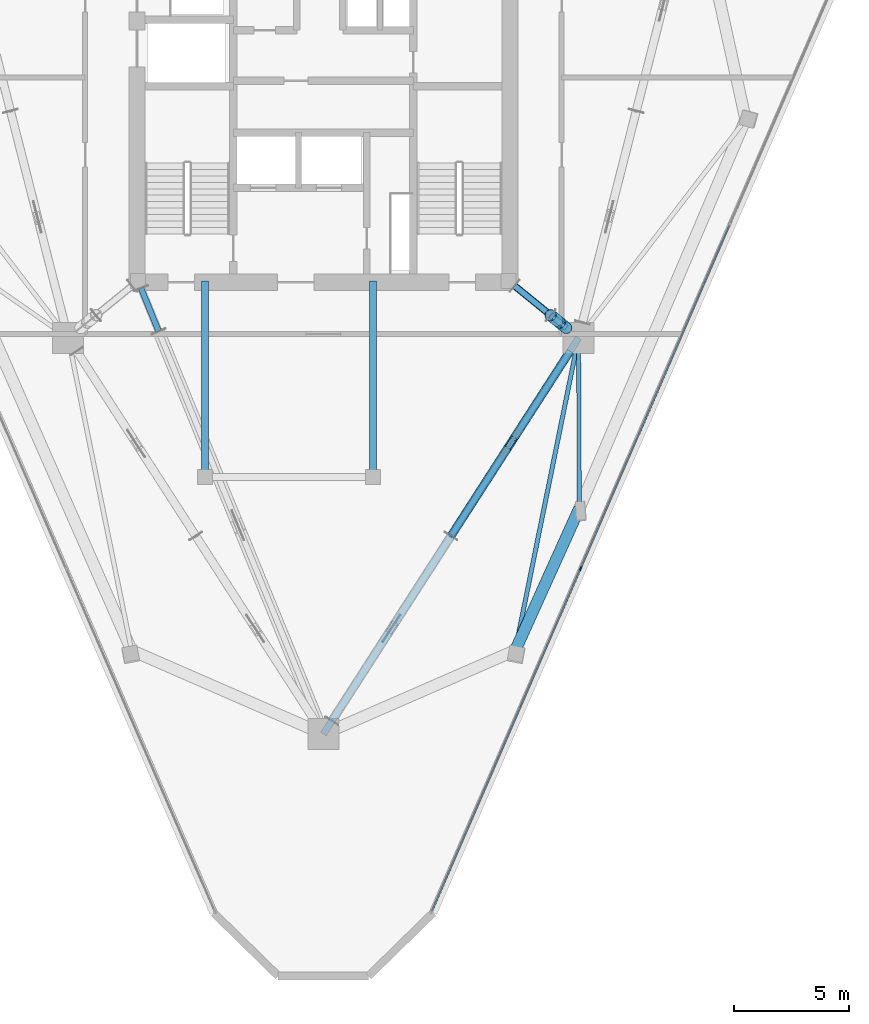
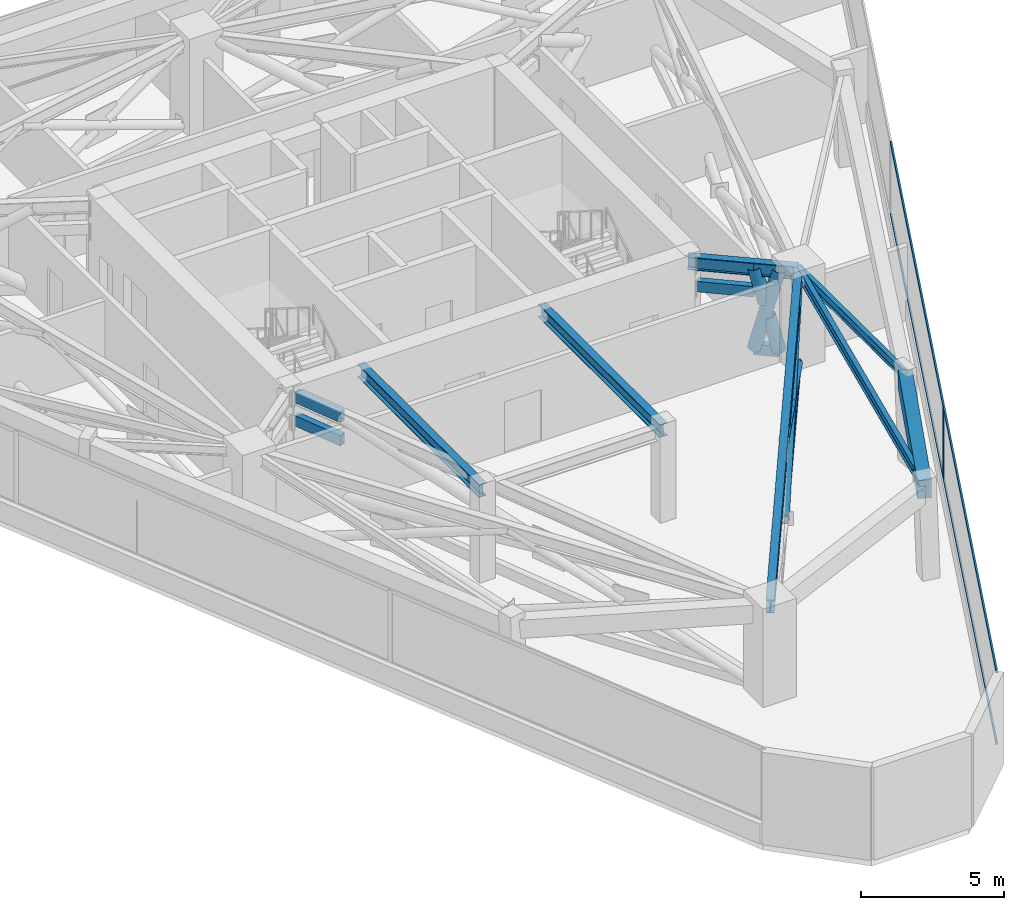
# One storey, part 3 of 12: 19 members, 7 beams, 1 element without a shape of its own.
"""IFC4 building model written with IfcOpenShell, lengths in metres."""

from ifc_helpers import new_model, si_unit, direction, frame, origin, origin_2d, place, context, subcontext, project, spatial, rectangle, hollow_rectangle, hollow_circle, i_section, extrude, material, layer, layer_set, material_profile, profile_set, type_object, element, aggregate, save


model = new_model("IFC4")

# Units and contexts
model_context = context("Model", 3, precision=1e-05, world=origin(), true_north=direction((0.0, 1.0)))
body_context = subcontext(model_context, "Body", "Model", "MODEL_VIEW")
ifc_project = project(units=[si_unit("LENGTHUNIT", "METRE"), si_unit("AREAUNIT", "SQUARE_METRE"), si_unit("VOLUMEUNIT", "CUBIC_METRE"), si_unit("PLANEANGLEUNIT", "RADIAN"), si_unit("MASSUNIT", "GRAM", prefix="KILO")], contexts=[model_context])

# Site, building, storey
site_placement = place(None, origin())
site = spatial("IfcSite", under=ifc_project, at=site_placement, CompositionType="ELEMENT")
building_placement = place(site_placement, origin())
building = spatial("IfcBuilding", under=site, at=building_placement, Name="Talyreon Biosciences Tower", CompositionType="ELEMENT")
storey_placement = place(building_placement, frame((0.0, 0.0, 227.39990234375)))
storey = spatial("IfcBuildingStorey", under=building, at=storey_placement, Name="L60", CompositionType="ELEMENT", Elevation=227.39990234375)

# Members
ifc_material_1 = material(Name="Steel SM355", Category="steel")
ifc_material_profile_1 = material_profile(ifc_material_1, hollow_circle(Radius=0.177734375, WallThickness=0.01416015625, at=origin_2d()), Name="CHS 355.6x14.2")
ifc_profile_set_1 = profile_set([ifc_material_profile_1], Name="Steel SM355")
member_type_1 = type_object("IfcMemberType", Name="BeltBrace_CHS355", PredefinedType="BRACE", material=ifc_profile_set_1)
member_1_placement = place(storey_placement, frame((71.543212890625, 50.273681640625, 0.239990234375), z_axis=(0.509088127268, 0.790462348754, 0.340585604332), x_axis=(-0.840726430295, 0.541460127251, 0.0)))
element("IfcMember", 1, at=member_1_placement, inside=storey, type_object=member_type_1, Name="L60 Continuous Diagonal BELT-L60-B1S2A", PredefinedType="BRACE", context=body_context, shape_type="SweptSolid", body=[
    extrude(hollow_circle(Radius=0.177734375, WallThickness=0.01416015625, at=origin_2d()), origin(), (0.0, 0.0, 1.0), 10.15966796875),
])
member_2_placement = place(storey_placement, frame((76.71533203125, 58.304443359375, 0.239990234375), z_axis=(-0.509109722698, -0.790445108475, 0.340593336316), x_axis=(0.840710598211, -0.541484708977, 0.0)))
element("IfcMember", 2, at=member_2_placement, inside=storey, type_object=member_type_1, Name="L60 Split Diagonal BELT-L60-B1S2B-Lower", PredefinedType="BRACE", context=body_context, shape_type="SweptSolid", body=[
    extrude(hollow_circle(Radius=0.177734375, WallThickness=0.01416015625, at=origin_2d()), origin(), (0.0, 0.0, 1.0), 4.7998046875),
])
member_3_placement = place(storey_placement, frame((73.98681640625, 54.06787109375, 2.0654296875), z_axis=(-0.509089253935, -0.790464191768, 0.340579642757), x_axis=(0.840726459493, -0.541460081916, 0.0)))
element("IfcMember", 3, at=member_3_placement, inside=storey, type_object=member_type_1, Name="L60 Split Diagonal BELT-L60-B1S2B-Upper", PredefinedType="BRACE", context=body_context, shape_type="SweptSolid", body=[
    extrude(hollow_circle(Radius=0.177734375, WallThickness=0.01416015625, at=origin_2d()), origin(), (0.0, 0.0, 1.0), 4.800048828125),
])
ifc_material_profile_2 = material_profile(ifc_material_1, hollow_rectangle(XDim=0.25, YDim=0.39990234375, WallThickness=0.01611328125, at=origin_2d()), Name="RHS 400x250x16")
ifc_profile_set_2 = profile_set([ifc_material_profile_2], Name="Steel SM355")
member_type_2 = type_object("IfcMemberType", Name="BeltChord_RHS400x250", PredefinedType="CHORD", material=ifc_profile_set_2)
for number, where, z_axis, x_axis, name in (
    (4, (71.543212890625, 50.273681640625, 0.239990234375), (0.541460127251, 0.840726430295, 0.0), (-0.840726430295, 0.541460127251, 0.0), "L60 Truss Bottom Chord BELT-L60-B1S2"),
    (5, (71.543212890625, 50.273681640625, 3.7001953125), (0.541460127251, 0.840726430295, 0.0), (-0.840726430295, 0.541460127251, 0.0), "L60 Truss Top Chord BELT-L60-B1S2"),
):
    element("IfcMember", number, at=place(storey_placement, frame(where, z_axis=z_axis, x_axis=x_axis)), inside=storey, type_object=member_type_2, Name=name, PredefinedType="CHORD", context=body_context, shape_type="SweptSolid", body=[
        extrude(hollow_rectangle(XDim=0.25, YDim=0.39990234375, WallThickness=0.01611328125, at=origin_2d()), origin(), (0.0, 0.0, 1.0), 9.55224609375),
    ])

# Curtain wall, members
ifc_material_2 = material(Name="Thermally broken aluminium and low-E glazing", Category="aluminium")
ifc_layer = layer(ifc_material_2, 0.179931640625)
ifc_layer_set = layer_set([ifc_layer], Name="Thermally broken aluminium and low-E glazing")
curtain_wall_type = type_object("IfcCurtainWallType", Name="CurtainWall_Zone4Optical", PredefinedType="NOTDEFINED", material=ifc_layer_set)
curtain_wall_placement = place(storey_placement, origin())
curtain_wall = element("IfcCurtainWall", 6, at=curtain_wall_placement, inside=storey, type_object=curtain_wall_type, Name="L60 Unitised Curtain Wall FCW-L60-08", PredefinedType="NOTDEFINED")
ifc_material_3 = material(Name="Anodised thermally broken aluminium", Category="aluminium")
ifc_material_profile_3 = material_profile(ifc_material_3, rectangle(XDim=0.06494140625, YDim=0.179931640625, at=origin_2d()), Name="ALUM MULLION 65x180")
ifc_profile_set_3 = profile_set([ifc_material_profile_3], Name="Anodised thermally broken aluminium")
member_type_3 = type_object("IfcMemberType", Name="CWMullion_65x180", PredefinedType="MULLION", material=ifc_profile_set_3)
member_4_placement = place(storey_placement, frame((77.175048828125, 48.85888671875, 0.81005859375), z_axis=(0.0, 0.0, 1.0), x_axis=(0.917336640876, -0.398112405366, 0.0)))
member_4 = element("IfcMember", 7, at=member_4_placement, type_object=member_type_3, Name="CW5 mullion 3", PredefinedType="MULLION", context=body_context, shape_type="SweptSolid", body=[
    extrude(rectangle(XDim=0.06494140625, YDim=0.179931640625, at=origin_2d()), origin(), (0.0, 0.0, 1.0), 3.14013671875),
])
ifc_material_profile_4 = material_profile(ifc_material_3, rectangle(XDim=0.06494140625, YDim=0.139892578125, at=origin_2d()), Name="ALUM TRANSOM 65x140")
ifc_profile_set_4 = profile_set([ifc_material_profile_4], Name="Anodised thermally broken aluminium")
member_type_4 = type_object("IfcMemberType", Name="CWTransom_65x140", PredefinedType="USERDEFINED", material=ifc_profile_set_4)
member_5_placement = place(storey_placement, frame((83.640380859375, 63.756103515625, 0.842529296875), z_axis=(-0.398118470733, -0.91733400856, 0.0), x_axis=(0.91733400856, -0.398118470733, 0.0)))
member_5 = element("IfcMember", 8, at=member_5_placement, type_object=member_type_4, Name="CW5 transom 2.1", ObjectType="TRANSOM", PredefinedType="USERDEFINED", context=body_context, shape_type="SweptSolid", body=[
    extrude(rectangle(XDim=0.06494140625, YDim=0.139892578125, at=origin_2d()), origin(), (0.0, 0.0, 1.0), 16.207275390625),
])
member_6_placement = place(storey_placement, frame((83.640380859375, 63.756103515625, 3.91748046875), z_axis=(-0.398118470733, -0.91733400856, 0.0), x_axis=(0.91733400856, -0.398118470733, 0.0)))
member_6 = element("IfcMember", 9, at=member_6_placement, type_object=member_type_4, Name="CW5 transom 2.2", ObjectType="TRANSOM", PredefinedType="USERDEFINED", context=body_context, shape_type="SweptSolid", body=[
    extrude(rectangle(XDim=0.06494140625, YDim=0.139892578125, at=origin_2d()), origin(), (0.0, 0.0, 1.0), 16.207275390625),
])
member_7_placement = place(storey_placement, frame((77.162109375, 48.828857421875, 0.842529296875), z_axis=(-0.398117802668, -0.917334298497, 0.0), x_axis=(0.917334298497, -0.398117802668, 0.0)))
member_7 = element("IfcMember", 10, at=member_7_placement, type_object=member_type_4, Name="CW5 transom 3.1", ObjectType="TRANSOM", PredefinedType="USERDEFINED", context=body_context, shape_type="SweptSolid", body=[
    extrude(rectangle(XDim=0.06494140625, YDim=0.139892578125, at=origin_2d()), origin(), (0.0, 0.0, 1.0), 16.1748046875),
])
member_8_placement = place(storey_placement, frame((77.162109375, 48.828857421875, 3.91748046875), z_axis=(-0.398117802668, -0.917334298497, 0.0), x_axis=(0.917334298497, -0.398117802668, 0.0)))
member_8 = element("IfcMember", 11, at=member_8_placement, type_object=member_type_4, Name="CW5 transom 3.2", ObjectType="TRANSOM", PredefinedType="USERDEFINED", context=body_context, shape_type="SweptSolid", body=[
    extrude(rectangle(XDim=0.06494140625, YDim=0.139892578125, at=origin_2d()), origin(), (0.0, 0.0, 1.0), 16.1748046875),
])
aggregate(curtain_wall, [member_4, member_5, member_6, member_7, member_8])

# Beam
ifc_material_4 = material(Name="Precast concrete C45/55", Category="concrete")
ifc_material_profile_5 = material_profile(ifc_material_4, rectangle(XDim=0.5, YDim=0.780029296875, at=origin_2d()), Name="RCB 500x780")
ifc_profile_set_5 = profile_set([ifc_material_profile_5], Name="Precast concrete C45/55")
beam_type_1 = type_object("IfcBeamType", Name="ExpressedSpandrel_500x780", PredefinedType="SPANDREL", material=ifc_profile_set_5)
beam_1_placement = place(storey_placement, frame((74.33447265625, 45.30419921875, 3.56005859375), z_axis=(0.4115248853, 0.911398523577, 0.0), x_axis=(-0.911398523577, 0.4115248853, 0.0)))
element("IfcBeam", 12, at=beam_1_placement, inside=storey, type_object=beam_type_1, Name="L60 Expressed Horizontal Concrete Spandrel 02", PredefinedType="SPANDREL", context=body_context, shape_type="SweptSolid", body=[
    extrude(rectangle(XDim=0.5, YDim=0.780029296875, at=origin_2d()), origin(), (0.0, 0.0, 1.0), 6.770263671875),
])

# Members
ifc_material_profile_6 = material_profile(ifc_material_1, hollow_circle(Radius=0.25390625, WallThickness=0.02001953125, at=origin_2d()), Name="CHS 508x20")
ifc_profile_set_6 = profile_set([ifc_material_profile_6], Name="Steel SM355")
member_type_5 = type_object("IfcMemberType", Name="OutriggerBrace_CHS508", PredefinedType="BRACE", material=ifc_profile_set_6)
member_9_placement = place(storey_placement, frame((75.873046875, 59.8671875, 0.239990234375), z_axis=(0.190932518303, -0.155372020624, 0.969228718447), x_axis=(0.631178128643, 0.775637911607, 0.0)))
element("IfcMember", 13, at=member_9_placement, inside=storey, type_object=member_type_5, Name="L60 Continuous Diagonal OUT-L60-R2A", PredefinedType="BRACE", context=body_context, shape_type="SweptSolid", body=[
    extrude(hollow_circle(Radius=0.25390625, WallThickness=0.02001953125, at=origin_2d()), origin(), (0.0, 0.0, 1.0), 3.570068359375),
])
for number, where, z_axis, x_axis, name in (
    (14, (76.5546875, 59.3125, 0.239990234375), (-0.190925272634, 0.155400519272, 0.969225576881), (-0.631262180916, -0.775569506199, 0.0), "L60 Split Diagonal OUT-L60-R2B-Lower"),
    (15, (76.160400390625, 59.63330078125, 2.241455078125), (-0.190925272634, 0.155400519272, 0.969225576881), (-0.631262180916, -0.775569506199, 0.0), "L60 Split Diagonal OUT-L60-R2B-Upper"),
):
    element("IfcMember", number, at=place(storey_placement, frame(where, z_axis=z_axis, x_axis=x_axis)), inside=storey, type_object=member_type_5, Name=name, PredefinedType="BRACE", context=body_context, shape_type="SweptSolid", body=[
        extrude(hollow_circle(Radius=0.25390625, WallThickness=0.02001953125, at=origin_2d()), origin(), (0.0, 0.0, 1.0), 1.505126953125),
    ])
ifc_material_profile_7 = material_profile(ifc_material_1, hollow_rectangle(XDim=0.25, YDim=0.449951171875, WallThickness=0.01611328125, at=origin_2d()), Name="RHS 450x250x16")
ifc_profile_set_7 = profile_set([ifc_material_profile_7], Name="Steel SM355")
member_type_6 = type_object("IfcMemberType", Name="OutriggerChord_RHS450x250", PredefinedType="CHORD", material=ifc_profile_set_7)
for number, where, z_axis, x_axis, name in (
    (16, (58.076904296875, 61.039794921875, 3.7001953125), (0.378524329351, -0.92559134184, 0.0), (0.92559134184, 0.378524329351, 0.0), "L60 Outrigger Core Top Tie 1"),
    (17, (58.076904296875, 61.039794921875, 2.7001953125), (0.378524329351, -0.92559134184, 0.0), (0.92559134184, 0.378524329351, 0.0), "L60 Outrigger Core Plenum Tie 1"),
):
    element("IfcMember", number, at=place(storey_placement, frame(where, z_axis=z_axis, x_axis=x_axis)), inside=storey, type_object=member_type_6, Name=name, PredefinedType="CHORD", context=body_context, shape_type="SweptSolid", body=[
        extrude(hollow_rectangle(XDim=0.25, YDim=0.449951171875, WallThickness=0.01611328125, at=origin_2d()), origin(), (0.0, 0.0, 1.0), 2.014892578125),
    ])
for number, where, z_axis, x_axis, name in (
    (18, (74.309814453125, 61.138671875, 3.7001953125), (0.77578405512, -0.63099849431, 0.0), (0.63099849431, 0.77578405512, 0.0), "L60 Outrigger Core Top Tie 2"),
    (19, (74.309814453125, 61.138671875, 2.7001953125), (0.77578405512, -0.63099849431, 0.0), (0.63099849431, 0.77578405512, 0.0), "L60 Outrigger Core Plenum Tie 2"),
):
    element("IfcMember", number, at=place(storey_placement, frame(where, z_axis=z_axis, x_axis=x_axis)), inside=storey, type_object=member_type_6, Name=name, PredefinedType="CHORD", context=body_context, shape_type="SweptSolid", body=[
        extrude(hollow_rectangle(XDim=0.25, YDim=0.449951171875, WallThickness=0.01611328125, at=origin_2d()), origin(), (0.0, 0.0, 1.0), 2.01513671875),
    ])
for number, where, z_axis, x_axis, name in (
    (20, (75.873046875, 59.8671875, 0.239990234375), (0.775637911607, -0.631178128643, 0.0), (0.631178128643, 0.775637911607, 0.0), "L60 Truss Bottom Chord OUT-L60-R2"),
    (21, (75.873046875, 59.8671875, 3.7001953125), (0.775637911607, -0.631178128643, 0.0), (0.631178128643, 0.775637911607, 0.0), "L60 Truss Top Chord OUT-L60-R2"),
):
    element("IfcMember", number, at=place(storey_placement, frame(where, z_axis=z_axis, x_axis=x_axis)), inside=storey, type_object=member_type_6, Name=name, PredefinedType="CHORD", context=body_context, shape_type="SweptSolid", body=[
        extrude(hollow_rectangle(XDim=0.25, YDim=0.449951171875, WallThickness=0.01611328125, at=origin_2d()), origin(), (0.0, 0.0, 1.0), 0.87890625),
    ])

# Beams
ifc_material_profile_8 = material_profile(ifc_material_1, i_section(OverallWidth=0.300048828125, OverallDepth=0.550048828125, WebThickness=0.014892578125, FlangeThickness=0.029052734375, FilletRadius=0.027099609375, at=origin_2d()), Name="HE550B")
ifc_profile_set_8 = profile_set([ifc_material_profile_8], Name="Steel SM355")
beam_type_2 = type_object("IfcBeamType", Name="SteelBeam_HE550B", PredefinedType="BEAM", material=ifc_profile_set_8)
beam_2_placement = place(storey_placement, frame((66.0, 41.6669921875, 3.675048828125), z_axis=(0.541463723609, 0.840724114092, 0.0), x_axis=(-0.840724114092, 0.541463723609, 0.0)))
element("IfcBeam", 22, at=beam_2_placement, inside=storey, type_object=beam_type_2, Name="L60 Mega-Ring Girder 1", PredefinedType="BEAM", context=body_context, shape_type="SweptSolid", body=[
    extrude(i_section(OverallWidth=0.300048828125, OverallDepth=0.550048828125, WebThickness=0.014892578125, FlangeThickness=0.029052734375, FilletRadius=0.027099609375, at=origin_2d()), origin(), (0.0, 0.0, 1.0), 20.474365234375),
])
beam_3_placement = place(storey_placement, frame((74.050048828125, 61.35009765625, 3.675048828125), z_axis=(0.775755154013, -0.631034025249, 0.0), x_axis=(0.631034025249, 0.775755154013, 0.0)))
element("IfcBeam", 23, at=beam_3_placement, inside=storey, type_object=beam_type_2, Name="L60 Radial Primary Girder 2", PredefinedType="BEAM", context=body_context, shape_type="SweptSolid", body=[
    extrude(i_section(OverallWidth=0.300048828125, OverallDepth=0.550048828125, WebThickness=0.014892578125, FlangeThickness=0.029052734375, FilletRadius=0.027099609375, at=origin_2d()), origin(), (0.0, 0.0, 1.0), 3.913818359375),
])
for number, where, z_axis, x_axis, name in (
    (24, (60.85009765625, 52.840087890625, 3.675048828125), (0.0, 1.0, 0.0), (-1.0, 0.0, 0.0), "L60 Crown Shaft Tie Girder W"),
    (25, (68.14990234375, 52.840087890625, 3.675048828125), (0.0, 1.0, 0.0), (-1.0, 0.0, 0.0), "L60 Crown Shaft Tie Girder E"),
):
    element("IfcBeam", number, at=place(storey_placement, frame(where, z_axis=z_axis, x_axis=x_axis)), inside=storey, type_object=beam_type_2, Name=name, PredefinedType="BEAM", context=body_context, shape_type="SweptSolid", body=[
        extrude(i_section(OverallWidth=0.300048828125, OverallDepth=0.550048828125, WebThickness=0.014892578125, FlangeThickness=0.029052734375, FilletRadius=0.027099609375, at=origin_2d()), origin(), (0.0, 0.0, 1.0), 8.510009765625),
    ])
ifc_material_profile_9 = material_profile(ifc_material_1, i_section(OverallWidth=0.179931640625, OverallDepth=0.39990234375, WebThickness=0.008544921875, FlangeThickness=0.013427734375, FilletRadius=0.02099609375, at=origin_2d()), Name="IPE400")
ifc_profile_set_9 = profile_set([ifc_material_profile_9], Name="Steel SM355")
beam_type_3 = type_object("IfcBeamType", Name="SteelJoist_IPE400", PredefinedType="JOIST", material=ifc_profile_set_9)
beam_4_placement = place(storey_placement, frame((77.086181640625, 58.88037109375, 3.75), z_axis=(0.004648199274, -0.999989197063, 0.0), x_axis=(0.999989197063, 0.004648199274, 0.0)))
element("IfcBeam", 26, at=beam_4_placement, inside=storey, type_object=beam_type_3, Name="L60 Radial Composite Floor Joist PL-SE", PredefinedType="JOIST", context=body_context, shape_type="SweptSolid", body=[
    extrude(i_section(OverallWidth=0.179931640625, OverallDepth=0.39990234375, WebThickness=0.008544921875, FlangeThickness=0.013427734375, FilletRadius=0.02099609375, at=origin_2d()), origin(), (0.0, 0.0, 1.0), 7.40576171875),
])
ifc_material_profile_10 = material_profile(ifc_material_1, i_section(OverallWidth=0.18994140625, OverallDepth=0.449951171875, WebThickness=0.009521484375, FlangeThickness=0.0146484375, FilletRadius=0.02099609375, at=origin_2d()), Name="IPE450")
ifc_profile_set_10 = profile_set([ifc_material_profile_10], Name="Steel SM355")
beam_type_4 = type_object("IfcBeamType", Name="SteelJoist_IPE450", PredefinedType="JOIST", material=ifc_profile_set_10)
beam_5_placement = place(storey_placement, frame((77.086181640625, 58.88037109375, 3.72509765625), z_axis=(-0.198647328886, -0.980071037592, 0.0), x_axis=(0.980071037592, -0.198647328886, 0.0)))
element("IfcBeam", 27, at=beam_5_placement, inside=storey, type_object=beam_type_4, Name="L60 Radial Composite Floor Joist PC-SE1", PredefinedType="JOIST", context=body_context, shape_type="SweptSolid", body=[
    extrude(i_section(OverallWidth=0.18994140625, OverallDepth=0.449951171875, WebThickness=0.009521484375, FlangeThickness=0.0146484375, FilletRadius=0.02099609375, at=origin_2d()), origin(), (0.0, 0.0, 1.0), 13.852294921875),
])

save(model, "model.ifc")
